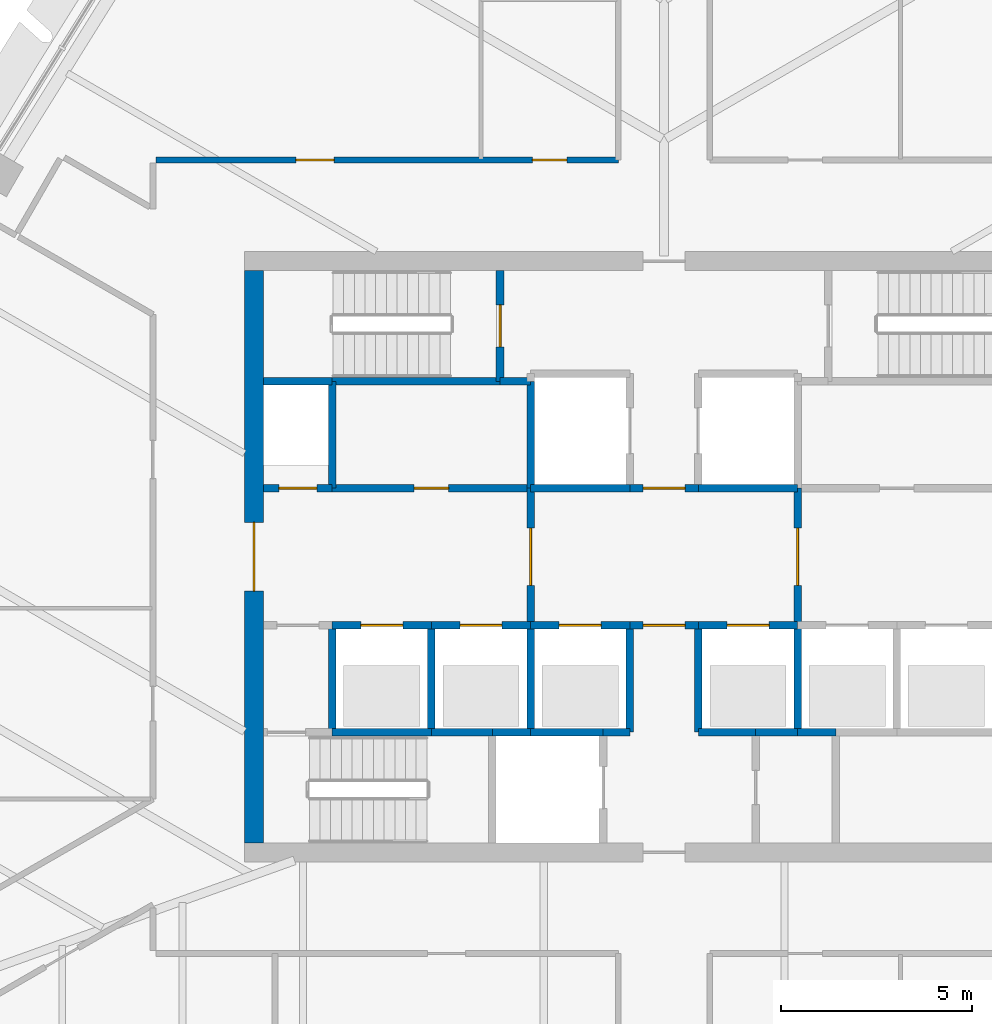
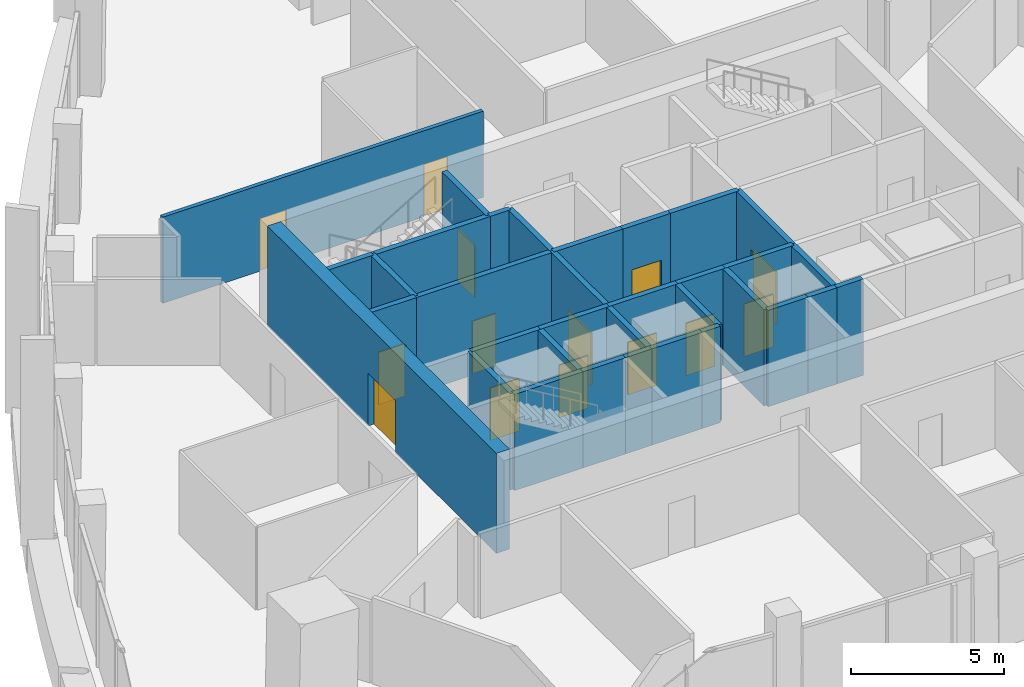
# One storey, part 9 of 19: 34 walls, 14 doors, 14 openings.
"""IFC4 building model written with IfcOpenShell, lengths in metres."""

from ifc_helpers import new_model, si_unit, direction, frame, frame_2d, origin, place, context, subcontext, project, spatial, rectangle, extrude, material, layer, layer_set, type_object, element, fill, save


model = new_model("IFC4")

# Units and contexts
model_context = context("Model", 3, precision=1e-05, world=origin(), true_north=direction((0.0, 1.0)))
body_context = subcontext(model_context, "Body", "Model", "MODEL_VIEW")
ifc_project = project(units=[si_unit("LENGTHUNIT", "METRE"), si_unit("AREAUNIT", "SQUARE_METRE"), si_unit("VOLUMEUNIT", "CUBIC_METRE"), si_unit("PLANEANGLEUNIT", "RADIAN"), si_unit("MASSUNIT", "GRAM", prefix="KILO")], contexts=[model_context])

# Site, building, storey
site_placement = place(None, origin())
site = spatial("IfcSite", under=ifc_project, at=site_placement, CompositionType="ELEMENT")
building_placement = place(site_placement, origin())
building = spatial("IfcBuilding", under=site, at=building_placement, Name="Sierra Prisma Convention Tower", CompositionType="ELEMENT")
storey_placement = place(building_placement, frame((0.0, 0.0, 295.0)))
storey = spatial("IfcBuildingStorey", under=building, at=storey_placement, Name="L67", CompositionType="ELEMENT", Elevation=295.0)

# Wall, opening, door
ifc_material_1 = material(Name="Concrete C30/37", Category="concrete")
ifc_layer_1 = layer(ifc_material_1, 0.199951171875)
ifc_layer_set_1 = layer_set([ifc_layer_1], Name="Core wall RC 200 C30/37")
wall_type_1 = type_object("IfcWallType", Name="Core wall RC 200 C30/37", PredefinedType="SOLIDWALL", material=ifc_layer_set_1)
wall_1_placement = place(storey_placement, frame((-8.699951171875, 1.800048828125, 0.0), z_axis=(0.0, 0.0, 1.0), x_axis=(-1.0, 0.0, 0.0)))
wall_1 = element("IfcWall", 1, at=wall_1_placement, inside=storey, type_object=wall_type_1, Name="Core wall L67 3", PredefinedType="SOLIDWALL", context=body_context, shape_type="SweptSolid", body=[
    extrude(rectangle(XDim=1.800048828125, YDim=0.199951171875, at=frame_2d((0.89990234375, 0.0))), origin(), (0.0, 0.0, 1.0), 3.85009765625),
])
opening_1_placement = place(wall_1_placement, frame((0.39990234375, 0.0, 0.0)))
opening_1 = element("IfcOpeningElement", 2, at=opening_1_placement, cuts=wall_1, Name="Opening L67-D015", PredefinedType="OPENING", context=body_context, shape_type="SweptSolid", body=[
    extrude(rectangle(XDim=1.0, YDim=2.10009765625, at=frame_2d((0.5, 1.050048828125))), frame((0.0, 0.10009765625, 0.0), z_axis=(0.0, -1.0, 0.0), x_axis=(1.0, 0.0, 0.0)), (0.0, 0.0, 1.0), 0.199951171875),
])
ifc_material_2 = material(Name="Steel fire door leaf", Category="steel")
door_type_1 = type_object("IfcDoorType", Name="Door 1000x2100 FD60S", OperationType="SINGLE_SWING_LEFT", PredefinedType="DOOR", material=ifc_material_2)
door_1_placement = place(opening_1_placement, origin())
door_1 = element("IfcDoor", 3, at=door_1_placement, inside=storey, type_object=door_type_1, Name="Door L67 28", OperationType="SINGLE_SWING_RIGHT", OverallHeight=2.10009765625, OverallWidth=1.0, PredefinedType="DOOR", context=body_context, shape_type="SweptSolid", body=[
    extrude(rectangle(XDim=1.0, YDim=2.10009765625, at=frame_2d((0.5, 1.050048828125))), frame((0.0, 0.02490234375, 0.0), z_axis=(0.0, -1.0, 0.0), x_axis=(1.0, 0.0, 0.0)), (0.0, 0.0, 1.0), 0.050048828125),
])
fill(opening_1, door_1)

# Walls
wall_2_placement = place(storey_placement, frame((-8.699951171875, 4.60009765625, 0.0), z_axis=(0.0, 0.0, 1.0), x_axis=(-1.0, 0.0, 0.0)))
element("IfcWall", 4, at=wall_2_placement, inside=storey, type_object=wall_type_1, Name="Core wall L67 4", PredefinedType="SOLIDWALL", context=body_context, shape_type="SweptSolid", body=[
    extrude(rectangle(XDim=1.800048828125, YDim=0.199951171875, at=frame_2d((0.89990234375, 0.0))), origin(), (0.0, 0.0, 1.0), 3.85009765625),
])
wall_3_placement = place(storey_placement, frame((-8.699951171875, -4.60009765625, 0.0), z_axis=(0.0, 0.0, 1.0), x_axis=(1.0, 0.0, 0.0)))
element("IfcWall", 5, at=wall_3_placement, inside=storey, type_object=wall_type_1, Name="Core wall L67 5", PredefinedType="SOLIDWALL", context=body_context, shape_type="SweptSolid", body=[
    extrude(rectangle(XDim=2.599853515625, YDim=0.199951171875, at=frame_2d((1.2998046875, 0.0))), origin(), (0.0, 0.0, 1.0), 3.85009765625),
])
wall_4_placement = place(storey_placement, frame((-8.699951171875, -4.60009765625, 0.0), z_axis=(0.0, 0.0, 1.0), x_axis=(0.0, 1.0, 0.0)))
element("IfcWall", 6, at=wall_4_placement, inside=storey, type_object=wall_type_1, Name="Core wall L67 6", PredefinedType="SOLIDWALL", context=body_context, shape_type="SweptSolid", body=[
    extrude(rectangle(XDim=2.800048828125, YDim=0.199951171875, at=frame_2d((1.39990234375, 0.0))), origin(), (0.0, 0.0, 1.0), 3.85009765625),
])

# Wall, opening, door
wall_5_placement = place(storey_placement, frame((-8.699951171875, -1.800048828125, 0.0), z_axis=(0.0, 0.0, 1.0), x_axis=(1.0, 0.0, 0.0)))
wall_5 = element("IfcWall", 7, at=wall_5_placement, inside=storey, type_object=wall_type_1, Name="Core wall L67 7", PredefinedType="SOLIDWALL", context=body_context, shape_type="SweptSolid", body=[
    extrude(rectangle(XDim=2.599853515625, YDim=0.199951171875, at=frame_2d((1.2998046875, 0.0))), origin(), (0.0, 0.0, 1.0), 3.85009765625),
])
opening_2_placement = place(wall_5_placement, frame((0.75, 0.0, 0.0)))
opening_2 = element("IfcOpeningElement", 8, at=opening_2_placement, cuts=wall_5, Name="Opening L67-D001", PredefinedType="OPENING", context=body_context, shape_type="SweptSolid", body=[
    extrude(rectangle(XDim=1.10009765625, YDim=2.10009765625, at=frame_2d((0.550048828125, 1.050048828125))), frame((0.0, 0.10009765625, 0.0), z_axis=(0.0, -1.0, 0.0), x_axis=(1.0, 0.0, 0.0)), (0.0, 0.0, 1.0), 0.199951171875),
])
ifc_material_3 = material(Name="Steel fire door leaf", Category="steel")
door_type_2 = type_object("IfcDoorType", Name="Door 1100x2100 EI 90 sliding lift landing", OperationType="SLIDING_TO_LEFT", PredefinedType="DOOR", material=ifc_material_3)
door_2_placement = place(opening_2_placement, origin())
door_2 = element("IfcDoor", 9, at=door_2_placement, inside=storey, type_object=door_type_2, Name="Door L67 14", OperationType="SLIDING_TO_LEFT", OverallHeight=2.10009765625, OverallWidth=1.10009765625, PredefinedType="DOOR", context=body_context, shape_type="SweptSolid", body=[
    extrude(rectangle(XDim=1.10009765625, YDim=2.10009765625, at=frame_2d((0.550048828125, 1.050048828125))), frame((0.0, 0.02490234375, 0.0), z_axis=(0.0, -1.0, 0.0), x_axis=(1.0, 0.0, 0.0)), (0.0, 0.0, 1.0), 0.050048828125),
])
fill(opening_2, door_2)

wall_6_placement = place(storey_placement, frame((-8.699951171875, 1.800048828125, 0.0), z_axis=(0.0, 0.0, 1.0), x_axis=(1.0, 0.0, 0.0)))
wall_6 = element("IfcWall", 10, at=wall_6_placement, inside=storey, type_object=wall_type_1, Name="Core wall L67 8", PredefinedType="SOLIDWALL", context=body_context, shape_type="SweptSolid", body=[
    extrude(rectangle(XDim=5.199951171875, YDim=0.199951171875, at=frame_2d((2.60009765625, 0.0))), origin(), (0.0, 0.0, 1.0), 3.85009765625),
])
opening_3_placement = place(wall_6_placement, frame((2.14990234375, 0.0, 0.0)))
opening_3 = element("IfcOpeningElement", 11, at=opening_3_placement, cuts=wall_6, Name="Opening L67-D021", PredefinedType="OPENING", context=body_context, shape_type="SweptSolid", body=[
    extrude(rectangle(XDim=0.89990234375, YDim=2.10009765625, at=frame_2d((0.449951171875, 1.050048828125))), frame((0.0, 0.10009765625, 0.0), z_axis=(0.0, -1.0, 0.0), x_axis=(1.0, 0.0, 0.0)), (0.0, 0.0, 1.0), 0.199951171875),
])
ifc_material_4 = material(Name="Steel fire door leaf", Category="steel")
door_type_3 = type_object("IfcDoorType", Name="Door 900x2100 FD30S", OperationType="SINGLE_SWING_LEFT", PredefinedType="DOOR", material=ifc_material_4)
door_3_placement = place(opening_3_placement, origin())
door_3 = element("IfcDoor", 12, at=door_3_placement, inside=storey, type_object=door_type_3, Name="Door L67 34", OperationType="SINGLE_SWING_RIGHT", OverallHeight=2.10009765625, OverallWidth=0.89990234375, PredefinedType="DOOR", context=body_context, shape_type="SweptSolid", body=[
    extrude(rectangle(XDim=0.89990234375, YDim=2.10009765625, at=frame_2d((0.449951171875, 1.050048828125))), frame((0.0, 0.02490234375, 0.0), z_axis=(0.0, -1.0, 0.0), x_axis=(1.0, 0.0, 0.0)), (0.0, 0.0, 1.0), 0.050048828125),
])
fill(opening_3, door_3)

# Walls
wall_7_placement = place(storey_placement, frame((-8.699951171875, 4.60009765625, 0.0), z_axis=(0.0, 0.0, 1.0), x_axis=(0.0, -1.0, 0.0)))
element("IfcWall", 13, at=wall_7_placement, inside=storey, type_object=wall_type_1, Name="Core wall L67 9", PredefinedType="SOLIDWALL", context=body_context, shape_type="SweptSolid", body=[
    extrude(rectangle(XDim=2.800048828125, YDim=0.199951171875, at=frame_2d((1.39990234375, 0.0))), origin(), (0.0, 0.0, 1.0), 3.85009765625),
])
wall_8_placement = place(storey_placement, frame((-4.300048828125, 4.60009765625, 0.0), z_axis=(0.0, 0.0, 1.0), x_axis=(-1.0, 0.0, 0.0)))
element("IfcWall", 14, at=wall_8_placement, inside=storey, type_object=wall_type_1, Name="Core wall L67 10", PredefinedType="SOLIDWALL", context=body_context, shape_type="SweptSolid", body=[
    extrude(rectangle(XDim=4.39990234375, YDim=0.199951171875, at=frame_2d((2.199951171875, 0.0))), origin(), (0.0, 0.0, 1.0), 3.85009765625),
])
wall_9_placement = place(storey_placement, frame((-6.10009765625, -4.60009765625, 0.0), z_axis=(0.0, 0.0, 1.0), x_axis=(1.0, 0.0, 0.0)))
element("IfcWall", 15, at=wall_9_placement, inside=storey, type_object=wall_type_1, Name="Core wall L67 11", PredefinedType="SOLIDWALL", context=body_context, shape_type="SweptSolid", body=[
    extrude(rectangle(XDim=1.60009765625, YDim=0.199951171875, at=frame_2d((0.800048828125, 0.0))), origin(), (0.0, 0.0, 1.0), 3.85009765625),
])
wall_10_placement = place(storey_placement, frame((-6.10009765625, -4.60009765625, 0.0), z_axis=(0.0, 0.0, 1.0), x_axis=(0.0, 1.0, 0.0)))
element("IfcWall", 16, at=wall_10_placement, inside=storey, type_object=wall_type_1, Name="Core wall L67 12", PredefinedType="SOLIDWALL", context=body_context, shape_type="SweptSolid", body=[
    extrude(rectangle(XDim=2.800048828125, YDim=0.199951171875, at=frame_2d((1.39990234375, 0.0))), origin(), (0.0, 0.0, 1.0), 3.85009765625),
])

# Wall, opening, door
wall_11_placement = place(storey_placement, frame((-6.10009765625, -1.800048828125, 0.0), z_axis=(0.0, 0.0, 1.0), x_axis=(1.0, 0.0, 0.0)))
wall_11 = element("IfcWall", 17, at=wall_11_placement, inside=storey, type_object=wall_type_1, Name="Core wall L67 13", PredefinedType="SOLIDWALL", context=body_context, shape_type="SweptSolid", body=[
    extrude(rectangle(XDim=2.60009765625, YDim=0.199951171875, at=frame_2d((1.300048828125, 0.0))), origin(), (0.0, 0.0, 1.0), 3.85009765625),
])
opening_4_placement = place(wall_11_placement, frame((0.75, 0.0, 0.0)))
opening_4 = element("IfcOpeningElement", 18, at=opening_4_placement, cuts=wall_11, Name="Opening L67-D002", PredefinedType="OPENING", context=body_context, shape_type="SweptSolid", body=[
    extrude(rectangle(XDim=1.10009765625, YDim=2.10009765625, at=frame_2d((0.550048828125, 1.050048828125))), frame((0.0, 0.10009765625, 0.0), z_axis=(0.0, -1.0, 0.0), x_axis=(1.0, 0.0, 0.0)), (0.0, 0.0, 1.0), 0.199951171875),
])
door_4_placement = place(opening_4_placement, origin())
door_4 = element("IfcDoor", 19, at=door_4_placement, inside=storey, type_object=door_type_2, Name="Door L67 15", OperationType="SLIDING_TO_RIGHT", OverallHeight=2.10009765625, OverallWidth=1.10009765625, PredefinedType="DOOR", context=body_context, shape_type="SweptSolid", body=[
    extrude(rectangle(XDim=1.10009765625, YDim=2.10009765625, at=frame_2d((0.550048828125, 1.050048828125))), frame((0.0, 0.02490234375, 0.0), z_axis=(0.0, -1.0, 0.0), x_axis=(1.0, 0.0, 0.0)), (0.0, 0.0, 1.0), 0.050048828125),
])
fill(opening_4, door_4)

# Walls
wall_12_placement = place(storey_placement, frame((-4.5, -4.60009765625, 0.0), z_axis=(0.0, 0.0, 1.0), x_axis=(1.0, 0.0, 0.0)))
element("IfcWall", 20, at=wall_12_placement, inside=storey, type_object=wall_type_1, Name="Core wall L67 15", PredefinedType="SOLIDWALL", context=body_context, shape_type="SweptSolid", body=[
    extrude(rectangle(XDim=1.0, YDim=0.199951171875, at=frame_2d((0.5, 0.0))), origin(), (0.0, 0.0, 1.0), 3.85009765625),
])
wall_13_placement = place(storey_placement, frame((-3.5, 4.60009765625, 0.0), z_axis=(0.0, 0.0, 1.0), x_axis=(-1.0, 0.0, 0.0)))
element("IfcWall", 21, at=wall_13_placement, inside=storey, type_object=wall_type_1, Name="Core wall L67 16", PredefinedType="SOLIDWALL", context=body_context, shape_type="SweptSolid", body=[
    extrude(rectangle(XDim=0.800048828125, YDim=0.199951171875, at=frame_2d((0.39990234375, 0.0))), origin(), (0.0, 0.0, 1.0), 3.85009765625),
])

# Wall, opening, door
wall_14_placement = place(storey_placement, frame((-4.300048828125, 4.60009765625, 0.0), z_axis=(0.0, 0.0, 1.0), x_axis=(0.0, 1.0, 0.0)))
wall_14 = element("IfcWall", 22, at=wall_14_placement, inside=storey, type_object=wall_type_1, Name="Core wall L67 17", PredefinedType="SOLIDWALL", context=body_context, shape_type="SweptSolid", body=[
    extrude(rectangle(XDim=2.89990234375, YDim=0.199951171875, at=frame_2d((1.449951171875, 0.0))), origin(), (0.0, 0.0, 1.0), 3.85009765625),
])
opening_5_placement = place(wall_14_placement, frame((0.89990234375, 0.0, 0.0)))
opening_5 = element("IfcOpeningElement", 23, at=opening_5_placement, cuts=wall_14, Name="Opening L67-D018", PredefinedType="OPENING", context=body_context, shape_type="SweptSolid", body=[
    extrude(rectangle(XDim=1.10009765625, YDim=2.10009765625, at=frame_2d((0.550048828125, 1.050048828125))), frame((0.0, 0.10009765625, 0.0), z_axis=(0.0, -1.0, 0.0), x_axis=(1.0, 0.0, 0.0)), (0.0, 0.0, 1.0), 0.199951171875),
])
ifc_material_5 = material(Name="Steel fire door leaf", Category="steel")
door_type_4 = type_object("IfcDoorType", Name="Door 1100x2100 FD90S", OperationType="SINGLE_SWING_LEFT", PredefinedType="DOOR", material=ifc_material_5)
door_5_placement = place(opening_5_placement, origin())
door_5 = element("IfcDoor", 24, at=door_5_placement, inside=storey, type_object=door_type_4, Name="Door L67 31", OperationType="SINGLE_SWING_LEFT", OverallHeight=2.10009765625, OverallWidth=1.10009765625, PredefinedType="DOOR", context=body_context, shape_type="SweptSolid", body=[
    extrude(rectangle(XDim=1.10009765625, YDim=2.10009765625, at=frame_2d((0.550048828125, 1.050048828125))), frame((0.0, 0.02490234375, 0.0), z_axis=(0.0, -1.0, 0.0), x_axis=(1.0, 0.0, 0.0)), (0.0, 0.0, 1.0), 0.050048828125),
])
fill(opening_5, door_5)

# Walls
wall_15_placement = place(storey_placement, frame((-3.5, -4.60009765625, 0.0), z_axis=(0.0, 0.0, 1.0), x_axis=(1.0, 0.0, 0.0)))
element("IfcWall", 25, at=wall_15_placement, inside=storey, type_object=wall_type_1, Name="Core wall L67 18", PredefinedType="SOLIDWALL", context=body_context, shape_type="SweptSolid", body=[
    extrude(rectangle(XDim=1.89990234375, YDim=0.199951171875, at=frame_2d((0.949951171875, 0.0))), origin(), (0.0, 0.0, 1.0), 3.85009765625),
])
wall_16_placement = place(storey_placement, frame((-3.5, -4.60009765625, 0.0), z_axis=(0.0, 0.0, 1.0), x_axis=(0.0, 1.0, 0.0)))
element("IfcWall", 26, at=wall_16_placement, inside=storey, type_object=wall_type_1, Name="Core wall L67 19", PredefinedType="SOLIDWALL", context=body_context, shape_type="SweptSolid", body=[
    extrude(rectangle(XDim=2.800048828125, YDim=0.199951171875, at=frame_2d((1.39990234375, 0.0))), origin(), (0.0, 0.0, 1.0), 3.85009765625),
])

# Wall, opening, door
wall_17_placement = place(storey_placement, frame((-3.5, -1.800048828125, 0.0), z_axis=(0.0, 0.0, 1.0), x_axis=(1.0, 0.0, 0.0)))
wall_17 = element("IfcWall", 27, at=wall_17_placement, inside=storey, type_object=wall_type_1, Name="Core wall L67 20", PredefinedType="SOLIDWALL", context=body_context, shape_type="SweptSolid", body=[
    extrude(rectangle(XDim=2.60009765625, YDim=0.199951171875, at=frame_2d((1.300048828125, 0.0))), origin(), (0.0, 0.0, 1.0), 3.85009765625),
])
opening_6_placement = place(wall_17_placement, frame((0.75, 0.0, 0.0)))
opening_6 = element("IfcOpeningElement", 28, at=opening_6_placement, cuts=wall_17, Name="Opening L67-D003", PredefinedType="OPENING", context=body_context, shape_type="SweptSolid", body=[
    extrude(rectangle(XDim=1.10009765625, YDim=2.10009765625, at=frame_2d((0.550048828125, 1.050048828125))), frame((0.0, 0.10009765625, 0.0), z_axis=(0.0, -1.0, 0.0), x_axis=(1.0, 0.0, 0.0)), (0.0, 0.0, 1.0), 0.199951171875),
])
door_6_placement = place(opening_6_placement, origin())
door_6 = element("IfcDoor", 29, at=door_6_placement, inside=storey, type_object=door_type_2, Name="Door L67 16", OperationType="SLIDING_TO_RIGHT", OverallHeight=2.10009765625, OverallWidth=1.10009765625, PredefinedType="DOOR", context=body_context, shape_type="SweptSolid", body=[
    extrude(rectangle(XDim=1.10009765625, YDim=2.10009765625, at=frame_2d((0.550048828125, 1.050048828125))), frame((0.0, 0.02490234375, 0.0), z_axis=(0.0, -1.0, 0.0), x_axis=(1.0, 0.0, 0.0)), (0.0, 0.0, 1.0), 0.050048828125),
])
fill(opening_6, door_6)

wall_18_placement = place(storey_placement, frame((-3.5, 1.800048828125, 0.0), z_axis=(0.0, 0.0, 1.0), x_axis=(0.0, -1.0, 0.0)))
wall_18 = element("IfcWall", 30, at=wall_18_placement, inside=storey, type_object=wall_type_1, Name="Core wall L67 21", PredefinedType="SOLIDWALL", context=body_context, shape_type="SweptSolid", body=[
    extrude(rectangle(XDim=3.60009765625, YDim=0.199951171875, at=frame_2d((1.800048828125, 0.0))), origin(), (0.0, 0.0, 1.0), 3.85009765625),
])
opening_7_placement = place(wall_18_placement, frame((1.050048828125, 0.0, 0.0)))
opening_7 = element("IfcOpeningElement", 31, at=opening_7_placement, cuts=wall_18, Name="Opening L67-D010", PredefinedType="OPENING", context=body_context, shape_type="SweptSolid", body=[
    extrude(rectangle(XDim=1.5, YDim=2.10009765625, at=frame_2d((0.75, 1.050048828125))), frame((0.0, 0.10009765625, 0.0), z_axis=(0.0, -1.0, 0.0), x_axis=(1.0, 0.0, 0.0)), (0.0, 0.0, 1.0), 0.199951171875),
])
ifc_material_6 = material(Name="Steel fire door leaf", Category="steel")
door_type_5 = type_object("IfcDoorType", Name="Door 1500x2100 FD30S", OperationType="DOUBLE_DOOR_SINGLE_SWING", PredefinedType="DOOR", material=ifc_material_6)
door_7_placement = place(opening_7_placement, origin())
door_7 = element("IfcDoor", 32, at=door_7_placement, inside=storey, type_object=door_type_5, Name="Door L67 23", OperationType="DOUBLE_DOOR_SINGLE_SWING", OverallHeight=2.10009765625, OverallWidth=1.5, PredefinedType="DOOR", context=body_context, shape_type="SweptSolid", body=[
    extrude(rectangle(XDim=1.5, YDim=2.10009765625, at=frame_2d((0.75, 1.050048828125))), frame((0.0, 0.02490234375, 0.0), z_axis=(0.0, -1.0, 0.0), x_axis=(1.0, 0.0, 0.0)), (0.0, 0.0, 1.0), 0.050048828125),
])
fill(opening_7, door_7)

# Walls
wall_19_placement = place(storey_placement, frame((-0.89990234375, 1.800048828125, 0.0), z_axis=(0.0, 0.0, 1.0), x_axis=(-1.0, 0.0, 0.0)))
element("IfcWall", 33, at=wall_19_placement, inside=storey, type_object=wall_type_1, Name="Core wall L67 22", PredefinedType="SOLIDWALL", context=body_context, shape_type="SweptSolid", body=[
    extrude(rectangle(XDim=2.60009765625, YDim=0.199951171875, at=frame_2d((1.300048828125, 0.0))), origin(), (0.0, 0.0, 1.0), 3.85009765625),
])
wall_20_placement = place(storey_placement, frame((-3.5, 1.800048828125, 0.0), z_axis=(0.0, 0.0, 1.0), x_axis=(0.0, 1.0, 0.0)))
element("IfcWall", 34, at=wall_20_placement, inside=storey, type_object=wall_type_1, Name="Core wall L67 23", PredefinedType="SOLIDWALL", context=body_context, shape_type="SweptSolid", body=[
    extrude(rectangle(XDim=2.800048828125, YDim=0.199951171875, at=frame_2d((1.39990234375, 0.0))), origin(), (0.0, 0.0, 1.0), 3.85009765625),
])
wall_21_placement = place(storey_placement, frame((-1.60009765625, -4.60009765625, 0.0), z_axis=(0.0, 0.0, 1.0), x_axis=(1.0, 0.0, 0.0)))
element("IfcWall", 35, at=wall_21_placement, inside=storey, type_object=wall_type_1, Name="Core wall L67 28", PredefinedType="SOLIDWALL", context=body_context, shape_type="SweptSolid", body=[
    extrude(rectangle(XDim=0.7001953125, YDim=0.199951171875, at=frame_2d((0.35009765625, 0.0))), origin(), (0.0, 0.0, 1.0), 3.85009765625),
])
wall_22_placement = place(storey_placement, frame((-0.89990234375, -4.60009765625, 0.0), z_axis=(0.0, 0.0, 1.0), x_axis=(0.0, 1.0, 0.0)))
element("IfcWall", 36, at=wall_22_placement, inside=storey, type_object=wall_type_1, Name="Core wall L67 29", PredefinedType="SOLIDWALL", context=body_context, shape_type="SweptSolid", body=[
    extrude(rectangle(XDim=2.800048828125, YDim=0.199951171875, at=frame_2d((1.39990234375, 0.0))), origin(), (0.0, 0.0, 1.0), 3.85009765625),
])

# Wall, opening, door
wall_23_placement = place(storey_placement, frame((-0.89990234375, -1.800048828125, 0.0), z_axis=(0.0, 0.0, 1.0), x_axis=(1.0, 0.0, 0.0)))
wall_23 = element("IfcWall", 37, at=wall_23_placement, inside=storey, type_object=wall_type_1, Name="Core wall L67 30", PredefinedType="SOLIDWALL", context=body_context, shape_type="SweptSolid", body=[
    extrude(rectangle(XDim=1.7998046875, YDim=0.199951171875, at=frame_2d((0.89990234375, 0.0))), origin(), (0.0, 0.0, 1.0), 3.85009765625),
])
opening_8_placement = place(wall_23_placement, frame((0.35009765625, 0.0, 0.0)))
opening_8 = element("IfcOpeningElement", 38, at=opening_8_placement, cuts=wall_23, Name="Opening L67-D014", PredefinedType="OPENING", context=body_context, shape_type="SweptSolid", body=[
    extrude(rectangle(XDim=1.10009765625, YDim=2.10009765625, at=frame_2d((0.550048828125, 1.050048828125))), frame((0.0, 0.10009765625, 0.0), z_axis=(0.0, -1.0, 0.0), x_axis=(1.0, 0.0, 0.0)), (0.0, 0.0, 1.0), 0.199951171875),
])
ifc_material_7 = material(Name="Steel fire door leaf", Category="steel")
door_type_6 = type_object("IfcDoorType", Name="Door 1100x2100 FD30S", OperationType="SINGLE_SWING_LEFT", PredefinedType="DOOR", material=ifc_material_7)
door_8_placement = place(opening_8_placement, origin())
door_8 = element("IfcDoor", 39, at=door_8_placement, inside=storey, type_object=door_type_6, Name="Door L67 27", OperationType="SINGLE_SWING_RIGHT", OverallHeight=2.10009765625, OverallWidth=1.10009765625, PredefinedType="DOOR", context=body_context, shape_type="SweptSolid", body=[
    extrude(rectangle(XDim=1.10009765625, YDim=2.10009765625, at=frame_2d((0.550048828125, 1.050048828125))), frame((0.0, 0.02490234375, 0.0), z_axis=(0.0, -1.0, 0.0), x_axis=(1.0, 0.0, 0.0)), (0.0, 0.0, 1.0), 0.050048828125),
])
fill(opening_8, door_8)

wall_24_placement = place(storey_placement, frame((0.89990234375, 1.800048828125, 0.0), z_axis=(0.0, 0.0, 1.0), x_axis=(-1.0, 0.0, 0.0)))
wall_24 = element("IfcWall", 40, at=wall_24_placement, inside=storey, type_object=wall_type_1, Name="Core wall L67 31", PredefinedType="SOLIDWALL", context=body_context, shape_type="SweptSolid", body=[
    extrude(rectangle(XDim=1.7998046875, YDim=0.199951171875, at=frame_2d((0.89990234375, 0.0))), origin(), (0.0, 0.0, 1.0), 3.85009765625),
])
opening_9_placement = place(wall_24_placement, frame((0.35009765625, 0.0, 0.0)))
opening_9 = element("IfcOpeningElement", 41, at=opening_9_placement, cuts=wall_24, Name="Opening L67-D013", PredefinedType="OPENING", context=body_context, shape_type="SweptSolid", body=[
    extrude(rectangle(XDim=1.10009765625, YDim=2.10009765625, at=frame_2d((0.550048828125, 1.050048828125))), frame((0.0, 0.10009765625, 0.0), z_axis=(0.0, -1.0, 0.0), x_axis=(1.0, 0.0, 0.0)), (0.0, 0.0, 1.0), 0.199951171875),
])
ifc_material_8 = material(Name="Steel fire door leaf", Category="steel")
door_type_7 = type_object("IfcDoorType", Name="Door 1100x2100 FD60S", OperationType="SINGLE_SWING_LEFT", PredefinedType="DOOR", material=ifc_material_8)
door_9_placement = place(opening_9_placement, origin())
door_9 = element("IfcDoor", 42, at=door_9_placement, inside=storey, type_object=door_type_7, Name="Door L67 26", OperationType="SINGLE_SWING_RIGHT", OverallHeight=2.10009765625, OverallWidth=1.10009765625, PredefinedType="DOOR", context=body_context, shape_type="SweptSolid", body=[
    extrude(rectangle(XDim=1.10009765625, YDim=2.10009765625, at=frame_2d((0.550048828125, 1.050048828125))), frame((0.0, 0.02490234375, 0.0), z_axis=(0.0, -1.0, 0.0), x_axis=(1.0, 0.0, 0.0)), (0.0, 0.0, 1.0), 0.050048828125),
])
fill(opening_9, door_9)

wall_25_placement = place(storey_placement, frame((0.89990234375, -1.800048828125, 0.0), z_axis=(0.0, 0.0, 1.0), x_axis=(1.0, 0.0, 0.0)))
wall_25 = element("IfcWall", 43, at=wall_25_placement, inside=storey, type_object=wall_type_1, Name="Core wall L67 32", PredefinedType="SOLIDWALL", context=body_context, shape_type="SweptSolid", body=[
    extrude(rectangle(XDim=2.60009765625, YDim=0.199951171875, at=frame_2d((1.300048828125, 0.0))), origin(), (0.0, 0.0, 1.0), 3.85009765625),
])
opening_10_placement = place(wall_25_placement, frame((0.75, 0.0, 0.0)))
opening_10 = element("IfcOpeningElement", 44, at=opening_10_placement, cuts=wall_25, Name="Opening L67-D004", PredefinedType="OPENING", context=body_context, shape_type="SweptSolid", body=[
    extrude(rectangle(XDim=1.10009765625, YDim=2.10009765625, at=frame_2d((0.550048828125, 1.050048828125))), frame((0.0, 0.10009765625, 0.0), z_axis=(0.0, -1.0, 0.0), x_axis=(1.0, 0.0, 0.0)), (0.0, 0.0, 1.0), 0.199951171875),
])
door_10_placement = place(opening_10_placement, origin())
door_10 = element("IfcDoor", 45, at=door_10_placement, inside=storey, type_object=door_type_2, Name="Door L67 17", OperationType="SLIDING_TO_LEFT", OverallHeight=2.10009765625, OverallWidth=1.10009765625, PredefinedType="DOOR", context=body_context, shape_type="SweptSolid", body=[
    extrude(rectangle(XDim=1.10009765625, YDim=2.10009765625, at=frame_2d((0.550048828125, 1.050048828125))), frame((0.0, 0.02490234375, 0.0), z_axis=(0.0, -1.0, 0.0), x_axis=(1.0, 0.0, 0.0)), (0.0, 0.0, 1.0), 0.050048828125),
])
fill(opening_10, door_10)

# Walls
wall_26_placement = place(storey_placement, frame((0.89990234375, -1.800048828125, 0.0), z_axis=(0.0, 0.0, 1.0), x_axis=(0.0, -1.0, 0.0)))
element("IfcWall", 46, at=wall_26_placement, inside=storey, type_object=wall_type_1, Name="Core wall L67 33", PredefinedType="SOLIDWALL", context=body_context, shape_type="SweptSolid", body=[
    extrude(rectangle(XDim=2.800048828125, YDim=0.199951171875, at=frame_2d((1.39990234375, 0.0))), origin(), (0.0, 0.0, 1.0), 3.85009765625),
])
wall_27_placement = place(storey_placement, frame((0.89990234375, -4.60009765625, 0.0), z_axis=(0.0, 0.0, 1.0), x_axis=(1.0, 0.0, 0.0)))
element("IfcWall", 47, at=wall_27_placement, inside=storey, type_object=wall_type_1, Name="Core wall L67 34", PredefinedType="SOLIDWALL", context=body_context, shape_type="SweptSolid", body=[
    extrude(rectangle(XDim=1.5, YDim=0.199951171875, at=frame_2d((0.75, 0.0))), origin(), (0.0, 0.0, 1.0), 3.85009765625),
])
wall_28_placement = place(storey_placement, frame((3.5, 1.800048828125, 0.0), z_axis=(0.0, 0.0, 1.0), x_axis=(-1.0, 0.0, 0.0)))
element("IfcWall", 48, at=wall_28_placement, inside=storey, type_object=wall_type_1, Name="Core wall L67 35", PredefinedType="SOLIDWALL", context=body_context, shape_type="SweptSolid", body=[
    extrude(rectangle(XDim=2.60009765625, YDim=0.199951171875, at=frame_2d((1.300048828125, 0.0))), origin(), (0.0, 0.0, 1.0), 3.85009765625),
])
wall_29_placement = place(storey_placement, frame((3.5, -4.60009765625, 0.0), z_axis=(0.0, 0.0, 1.0), x_axis=(-1.0, 0.0, 0.0)))
element("IfcWall", 49, at=wall_29_placement, inside=storey, type_object=wall_type_1, Name="Core wall L67 40", PredefinedType="SOLIDWALL", context=body_context, shape_type="SweptSolid", body=[
    extrude(rectangle(XDim=1.10009765625, YDim=0.199951171875, at=frame_2d((0.550048828125, 0.0))), origin(), (0.0, 0.0, 1.0), 3.85009765625),
])
wall_30_placement = place(storey_placement, frame((4.5, -4.60009765625, 0.0), z_axis=(0.0, 0.0, 1.0), x_axis=(-1.0, 0.0, 0.0)))
element("IfcWall", 50, at=wall_30_placement, inside=storey, type_object=wall_type_1, Name="Core wall L67 41", PredefinedType="SOLIDWALL", context=body_context, shape_type="SweptSolid", body=[
    extrude(rectangle(XDim=1.0, YDim=0.199951171875, at=frame_2d((0.5, 0.0))), origin(), (0.0, 0.0, 1.0), 3.85009765625),
])
wall_31_placement = place(storey_placement, frame((3.5, -4.60009765625, 0.0), z_axis=(0.0, 0.0, 1.0), x_axis=(0.0, 1.0, 0.0)))
element("IfcWall", 51, at=wall_31_placement, inside=storey, type_object=wall_type_1, Name="Core wall L67 42", PredefinedType="SOLIDWALL", context=body_context, shape_type="SweptSolid", body=[
    extrude(rectangle(XDim=2.800048828125, YDim=0.199951171875, at=frame_2d((1.39990234375, 0.0))), origin(), (0.0, 0.0, 1.0), 3.85009765625),
])

# Wall, opening, door
wall_32_placement = place(storey_placement, frame((3.5, -1.800048828125, 0.0), z_axis=(0.0, 0.0, 1.0), x_axis=(0.0, 1.0, 0.0)))
wall_32 = element("IfcWall", 52, at=wall_32_placement, inside=storey, type_object=wall_type_1, Name="Core wall L67 44", PredefinedType="SOLIDWALL", context=body_context, shape_type="SweptSolid", body=[
    extrude(rectangle(XDim=3.60009765625, YDim=0.199951171875, at=frame_2d((1.800048828125, 0.0))), origin(), (0.0, 0.0, 1.0), 3.85009765625),
])
opening_11_placement = place(wall_32_placement, frame((1.050048828125, 0.0, 0.0)))
opening_11 = element("IfcOpeningElement", 53, at=opening_11_placement, cuts=wall_32, Name="Opening L67-D011", PredefinedType="OPENING", context=body_context, shape_type="SweptSolid", body=[
    extrude(rectangle(XDim=1.5, YDim=2.10009765625, at=frame_2d((0.75, 1.050048828125))), frame((0.0, 0.10009765625, 0.0), z_axis=(0.0, -1.0, 0.0), x_axis=(1.0, 0.0, 0.0)), (0.0, 0.0, 1.0), 0.199951171875),
])
door_11_placement = place(opening_11_placement, origin())
door_11 = element("IfcDoor", 54, at=door_11_placement, inside=storey, type_object=door_type_5, Name="Door L67 24", OperationType="DOUBLE_DOOR_SINGLE_SWING", OverallHeight=2.10009765625, OverallWidth=1.5, PredefinedType="DOOR", context=body_context, shape_type="SweptSolid", body=[
    extrude(rectangle(XDim=1.5, YDim=2.10009765625, at=frame_2d((0.75, 1.050048828125))), frame((0.0, 0.02490234375, 0.0), z_axis=(0.0, -1.0, 0.0), x_axis=(1.0, 0.0, 0.0)), (0.0, 0.0, 1.0), 0.050048828125),
])
fill(opening_11, door_11)

ifc_material_9 = material(Name="Concrete C50/60", Category="concrete")
ifc_layer_2 = layer(ifc_material_9, 0.5)
ifc_layer_set_2 = layer_set([ifc_layer_2], Name="Core wall RC 500 C50/60")
wall_type_2 = type_object("IfcWallType", Name="Core wall RC 500 C50/60", PredefinedType="SHEAR", material=ifc_layer_set_2)
wall_33_placement = place(storey_placement, frame((-10.75, -7.5, 0.0), z_axis=(0.0, 0.0, 1.0), x_axis=(0.0, 1.0, 0.0)))
wall_33 = element("IfcWall", 55, at=wall_33_placement, inside=storey, type_object=wall_type_2, Name="Core wall W L67", PredefinedType="SHEAR", context=body_context, shape_type="SweptSolid", body=[
    extrude(rectangle(XDim=15.0, YDim=0.5, at=frame_2d((7.5, 0.0))), origin(), (0.0, 0.0, 1.0), 4.0),
])
opening_12_placement = place(wall_33_placement, frame((6.60009765625, 0.0, 0.0)))
opening_12 = element("IfcOpeningElement", 56, at=opening_12_placement, cuts=wall_33, Name="Opening L67-D041", PredefinedType="OPENING", context=body_context, shape_type="SweptSolid", body=[
    extrude(rectangle(XDim=1.800048828125, YDim=2.10009765625, at=frame_2d((0.89990234375, 1.050048828125))), frame((0.0, 0.25, 0.0), z_axis=(0.0, -1.0, 0.0), x_axis=(1.0, 0.0, 0.0)), (0.0, 0.0, 1.0), 0.5),
])
ifc_material_10 = material(Name="Steel fire door leaf", Category="steel")
door_type_8 = type_object("IfcDoorType", Name="Door 1800x2100 FD60S", OperationType="DOUBLE_DOOR_SINGLE_SWING", PredefinedType="DOOR", material=ifc_material_10)
door_12_placement = place(opening_12_placement, origin())
door_12 = element("IfcDoor", 57, at=door_12_placement, inside=storey, type_object=door_type_8, Name="Door L67 38", OperationType="DOUBLE_DOOR_SINGLE_SWING", OverallHeight=2.10009765625, OverallWidth=1.800048828125, PredefinedType="DOOR", context=body_context, shape_type="SweptSolid", body=[
    extrude(rectangle(XDim=1.800048828125, YDim=2.10009765625, at=frame_2d((0.89990234375, 1.050048828125))), frame((0.0, 0.02490234375, 0.0), z_axis=(0.0, -1.0, 0.0), x_axis=(1.0, 0.0, 0.0)), (0.0, 0.0, 1.0), 0.050048828125),
])
fill(opening_12, door_12)

# Wall, openings, doors
ifc_material_11 = material(Name="Gypsum board partition", Category="gypsum")
ifc_layer_3 = layer(ifc_material_11, 0.14990234375)
ifc_layer_set_3 = layer_set([ifc_layer_3], Name="Corridor wall 150 gypsum EI 60")
wall_type_3 = type_object("IfcWallType", Name="Corridor wall 150 gypsum EI 60", PredefinedType="PARTITIONING", material=ifc_layer_set_3)
wall_34_placement = place(storey_placement, frame((-1.199951171875, 10.39990234375, 0.0), z_axis=(0.0, 0.0, 1.0), x_axis=(-1.0, 0.0, 0.0)))
wall_34 = element("IfcWall", 58, at=wall_34_placement, inside=storey, type_object=wall_type_3, Name="Partition L67 corr 13", PredefinedType="PARTITIONING", context=body_context, shape_type="SweptSolid", body=[
    extrude(rectangle(XDim=12.1201171875, YDim=0.14990234375, at=frame_2d((6.06005859375, 0.0))), origin(), (0.0, 0.0, 1.0), 3.443115234375),
])
opening_13_placement = place(wall_34_placement, frame((1.35009765625, 0.0, 0.0)))
opening_13 = element("IfcOpeningElement", 59, at=opening_13_placement, cuts=wall_34, Name="Opening L67-D028", PredefinedType="OPENING", context=body_context, shape_type="SweptSolid", body=[
    extrude(rectangle(XDim=0.89990234375, YDim=2.10009765625, at=frame_2d((0.449951171875, 1.050048828125))), frame((0.0, 0.074951171875, 0.0), z_axis=(0.0, -1.0, 0.0), x_axis=(1.0, 0.0, 0.0)), (0.0, 0.0, 1.0), 0.14990234375),
])
opening_14_placement = place(wall_34_placement, frame((7.449951171875, 0.0, 0.0)))
opening_14 = element("IfcOpeningElement", 60, at=opening_14_placement, cuts=wall_34, Name="Opening L67-D029", PredefinedType="OPENING", context=body_context, shape_type="SweptSolid", body=[
    extrude(rectangle(XDim=1.0, YDim=2.10009765625, at=frame_2d((0.5, 1.050048828125))), frame((0.0, 0.074951171875, 0.0), z_axis=(0.0, -1.0, 0.0), x_axis=(1.0, 0.0, 0.0)), (0.0, 0.0, 1.0), 0.14990234375),
])
ifc_material_12 = material(Name="Steel fire door leaf", Category="steel")
door_type_9 = type_object("IfcDoorType", Name="Door 1000x2100 FD30S", OperationType="SINGLE_SWING_LEFT", PredefinedType="DOOR", material=ifc_material_12)
door_13_placement = place(opening_14_placement, origin())
door_13 = element("IfcDoor", 61, at=door_13_placement, inside=storey, type_object=door_type_9, Name="Door L67 5", OperationType="SINGLE_SWING_RIGHT", OverallHeight=2.10009765625, OverallWidth=1.0, PredefinedType="DOOR", context=body_context, shape_type="SweptSolid", body=[
    extrude(rectangle(XDim=1.0, YDim=2.10009765625, at=frame_2d((0.5, 1.050048828125))), frame((0.0, 0.02490234375, 0.0), z_axis=(0.0, -1.0, 0.0), x_axis=(1.0, 0.0, 0.0)), (0.0, 0.0, 1.0), 0.050048828125),
])
fill(opening_14, door_13)
door_14_placement = place(opening_13_placement, origin())
door_14 = element("IfcDoor", 62, at=door_14_placement, inside=storey, type_object=door_type_3, Name="Door L67 4", OperationType="SINGLE_SWING_RIGHT", OverallHeight=2.10009765625, OverallWidth=0.89990234375, PredefinedType="DOOR", context=body_context, shape_type="SweptSolid", body=[
    extrude(rectangle(XDim=0.89990234375, YDim=2.10009765625, at=frame_2d((0.449951171875, 1.050048828125))), frame((0.0, 0.02490234375, 0.0), z_axis=(0.0, -1.0, 0.0), x_axis=(1.0, 0.0, 0.0)), (0.0, 0.0, 1.0), 0.050048828125),
])
fill(opening_13, door_14)

save(model, "model.ifc")
